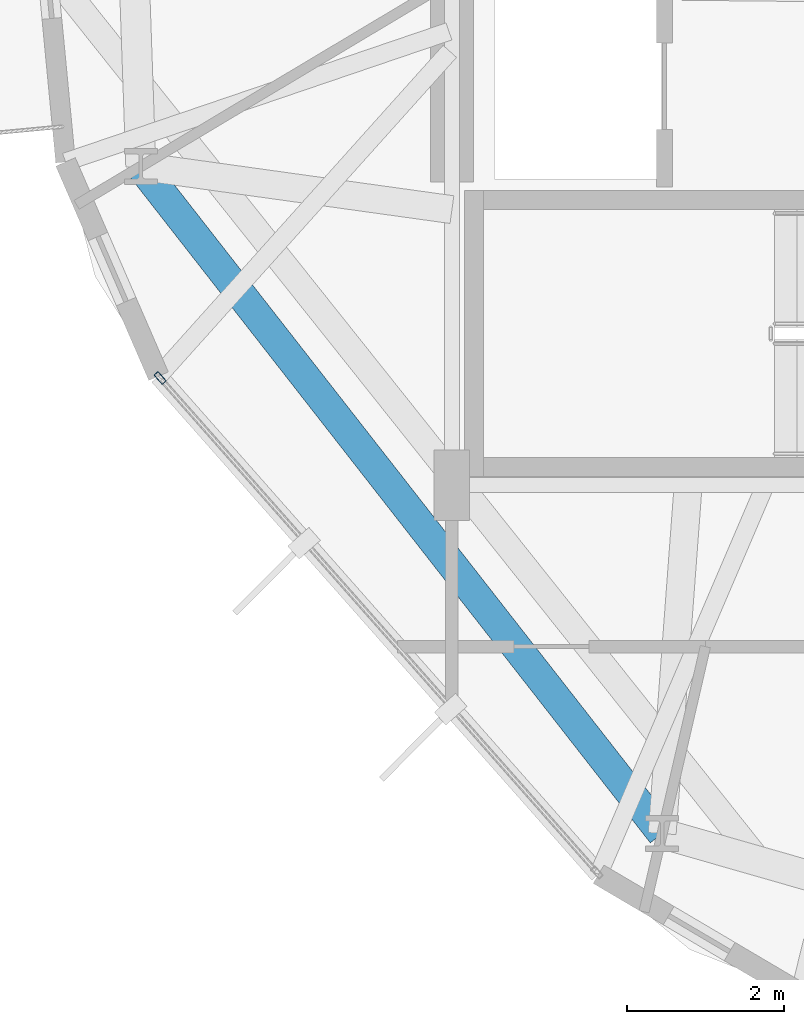
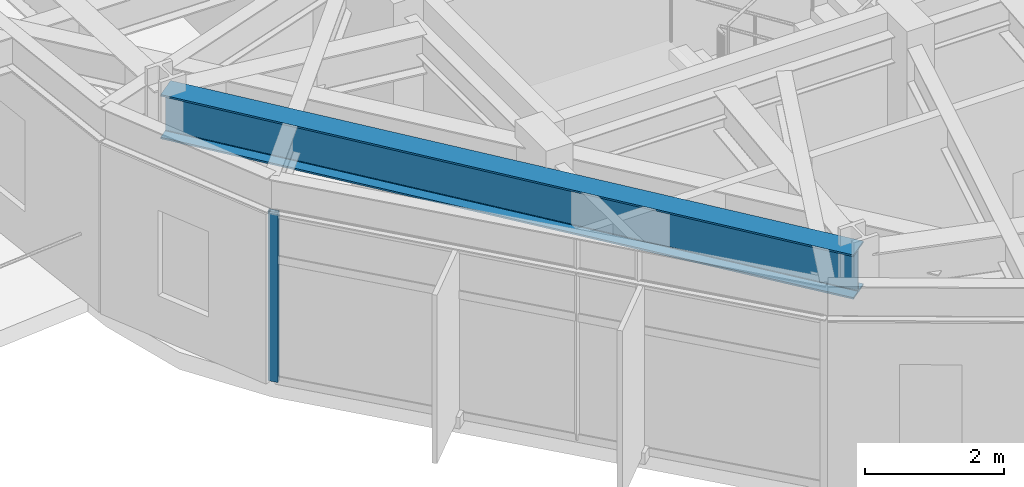
# One storey, part 3 of 23: 1 beam, 1 member, 1 element without a shape of its own.
"""IFC4 building model written with IfcOpenShell, lengths in metres."""

from ifc_helpers import new_model, si_unit, direction, frame, origin, origin_2d, place, context, subcontext, project, spatial, hollow_rectangle, i_section, extrude, material, layer, layer_set, material_profile, profile_set, type_object, element, aggregate, save


model = new_model("IFC4")

# Units and contexts
model_context = context("Model", 3, precision=1e-05, world=origin(), true_north=direction((0.0, 1.0)))
body_context = subcontext(model_context, "Body", "Model", "MODEL_VIEW")
ifc_project = project(units=[si_unit("LENGTHUNIT", "METRE"), si_unit("AREAUNIT", "SQUARE_METRE"), si_unit("VOLUMEUNIT", "CUBIC_METRE"), si_unit("PLANEANGLEUNIT", "RADIAN"), si_unit("MASSUNIT", "GRAM", prefix="KILO")], contexts=[model_context])

# Site, building, storey
site_placement = place(None, origin())
site = spatial("IfcSite", under=ifc_project, at=site_placement, CompositionType="ELEMENT")
building_placement = place(site_placement, origin())
building = spatial("IfcBuilding", under=site, at=building_placement, Name="Soratama Intermodal Tower", CompositionType="ELEMENT")
storey_placement = place(building_placement, frame((0.0, 0.0, 118.60009765625)))
storey = spatial("IfcBuildingStorey", under=building, at=storey_placement, Name="L28", CompositionType="ELEMENT", Elevation=118.60009765625)

# Beam
ifc_material_1 = material(Name="Structural steel ASTM A992 Grade 50", Category="steel")
ifc_material_profile_1 = material_profile(ifc_material_1, i_section(OverallWidth=0.382080078125, OverallDepth=0.779052734375, WebThickness=0.01806640625, FlangeThickness=0.030029296875, FilletRadius=0.01806640625, at=origin_2d()), Name="W30X191")
ifc_profile_set_1 = profile_set([ifc_material_profile_1], Name="Structural steel ASTM A992 Grade 50")
beam_type = type_object("IfcBeamType", Name="BM-RING-W30X191", PredefinedType="BEAM", material=ifc_profile_set_1)
beam_placement = place(storey_placement, frame((28.64892578125, 19.049072265625, 3.21044921875), z_axis=(0.615683690883, -0.787993396407, 0.0), x_axis=(0.787993396407, 0.615683690883, 0.0)))
element("IfcBeam", 1, at=beam_placement, inside=storey, type_object=beam_type, Name="BM-L28-RING-06", PredefinedType="BEAM", context=body_context, shape_type="SweptSolid", body=[
    extrude(i_section(OverallWidth=0.382080078125, OverallDepth=0.779052734375, WebThickness=0.01806640625, FlangeThickness=0.030029296875, FilletRadius=0.01806640625, at=origin_2d()), origin(), (0.0, 0.0, 1.0), 10.754150390625),
])

# Curtain wall, member
ifc_material_2 = material(Name="Double-glazed aluminium curtain wall", Category="aluminium")
ifc_layer = layer(ifc_material_2, 0.159912109375)
ifc_layer_set = layer_set([ifc_layer], Name="Double-glazed aluminium curtain wall")
curtain_wall_type = type_object("IfcCurtainWallType", Name="CW-SYS-3", PredefinedType="NOTDEFINED", material=ifc_layer_set)
curtain_wall_placement = place(storey_placement, origin())
curtain_wall = element("IfcCurtainWall", 2, at=curtain_wall_placement, inside=storey, type_object=curtain_wall_type, Name="L28 Faceted Curtain Wall F06", PredefinedType="NOTDEFINED")
ifc_material_3 = material(Name="Anodised aluminium AA 6063-T6", Category="aluminium")
ifc_material_profile_2 = material_profile(ifc_material_3, hollow_rectangle(XDim=0.070068359375, YDim=0.159912109375, WallThickness=0.0048828125, InnerFilletRadius=0.0048828125, OuterFilletRadius=0.010009765625, at=origin_2d()), Name="CWM160X70X5")
ifc_profile_set_2 = profile_set([ifc_material_profile_2], Name="Anodised aluminium AA 6063-T6")
member_type = type_object("IfcMemberType", Name="MT-CWM-3", PredefinedType="MULLION", material=ifc_profile_set_2)
member_placement = place(storey_placement, frame((28.893310546875, 16.362060546875, 0.0), z_axis=(0.0, 0.0, 1.0), x_axis=(0.749417662671, 0.662097550877, 0.0)))
member = element("IfcMember", 3, at=member_placement, type_object=member_type, Name="CW-3 mullion 1", PredefinedType="MULLION", context=body_context, shape_type="SweptSolid", body=[
    extrude(hollow_rectangle(XDim=0.070068359375, YDim=0.159912109375, WallThickness=0.0048828125, InnerFilletRadius=0.0048828125, OuterFilletRadius=0.010009765625, at=origin_2d()), origin(), (0.0, 0.0, 1.0), 2.97900390625),
])
aggregate(curtain_wall, [member])

save(model, "model.ifc")
